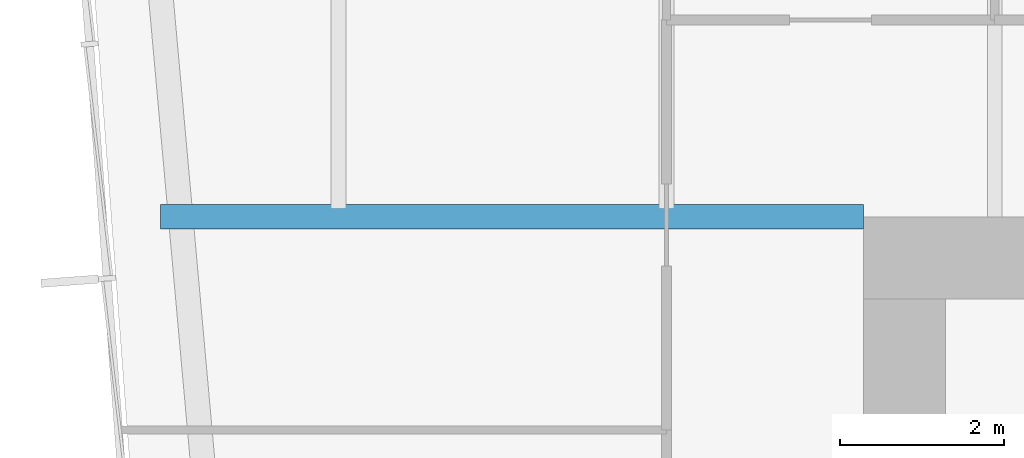
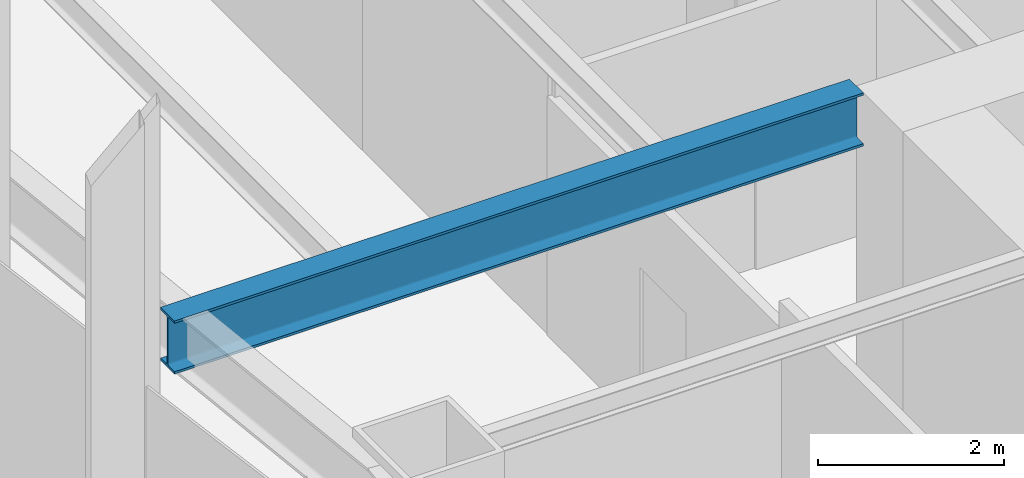
# One storey, part 3 of 14: 1 beam.
"""IFC4 building model written with IfcOpenShell, lengths in metres."""

from ifc_helpers import new_model, si_unit, direction, frame, origin, origin_2d, place, context, subcontext, project, spatial, i_section, extrude, material, material_profile, profile_set, type_object, element, save


model = new_model("IFC4")

# Units and contexts
model_context = context("Model", 3, precision=1e-05, world=origin(), true_north=direction((0.0, 1.0)))
body_context = subcontext(model_context, "Body", "Model", "MODEL_VIEW")
ifc_project = project(units=[si_unit("LENGTHUNIT", "METRE"), si_unit("AREAUNIT", "SQUARE_METRE"), si_unit("VOLUMEUNIT", "CUBIC_METRE"), si_unit("PLANEANGLEUNIT", "RADIAN"), si_unit("MASSUNIT", "GRAM", prefix="KILO")], contexts=[model_context])

# Site, building, storey
site_placement = place(None, origin())
site = spatial("IfcSite", under=ifc_project, at=site_placement, CompositionType="ELEMENT")
building_placement = place(site_placement, origin())
building = spatial("IfcBuilding", under=site, at=building_placement, Name="Verdant Reach Tower", CompositionType="ELEMENT")
storey_placement = place(building_placement, frame((0.0, 0.0, 162.0)))
storey = spatial("IfcBuildingStorey", under=building, at=storey_placement, Name="L37", CompositionType="ELEMENT", Elevation=162.0)

# Beam
ifc_material = material(Name="Steel S355", Category="steel")
ifc_material_profile = material_profile(ifc_material, i_section(OverallWidth=0.300048828125, OverallDepth=0.699951171875, WebThickness=0.01708984375, FlangeThickness=0.031982421875, FilletRadius=0.027099609375, at=origin_2d()), Name="HEB 700")
ifc_profile_set = profile_set([ifc_material_profile], Name="Steel S355")
beam_type = type_object("IfcBeamType", Name="ST-BEAM-HEB700", PredefinedType="BEAM", material=ifc_profile_set)
beam_placement = place(storey_placement, frame((-13.60009765625, 38.60009765625, 3.52001953125), z_axis=(-1.0, 0.0, 0.0), x_axis=(0.0, -1.0, 0.0)))
element("IfcBeam", 1, at=beam_placement, inside=storey, type_object=beam_type, Name="Trimmer beam, L37", PredefinedType="BEAM", context=body_context, shape_type="SweptSolid", body=[
    extrude(i_section(OverallWidth=0.300048828125, OverallDepth=0.699951171875, WebThickness=0.01708984375, FlangeThickness=0.031982421875, FilletRadius=0.027099609375, at=origin_2d()), origin(), (0.0, 0.0, 1.0), 8.568115234375),
])

save(model, "model.ifc")
